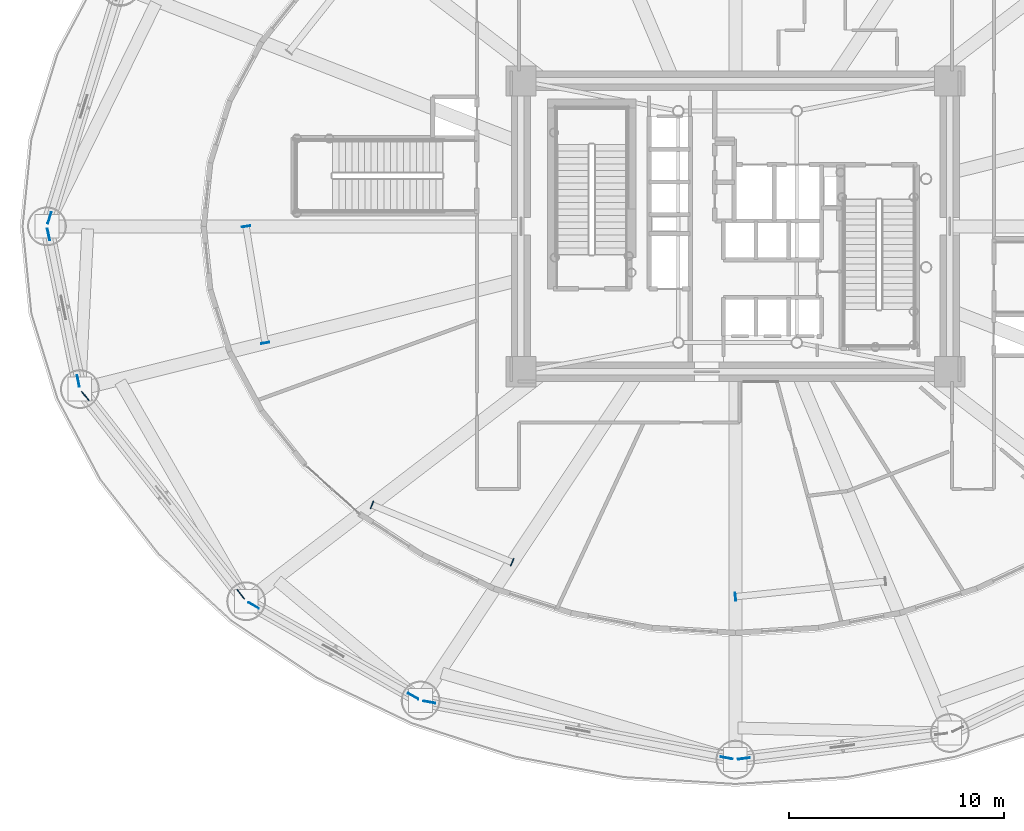
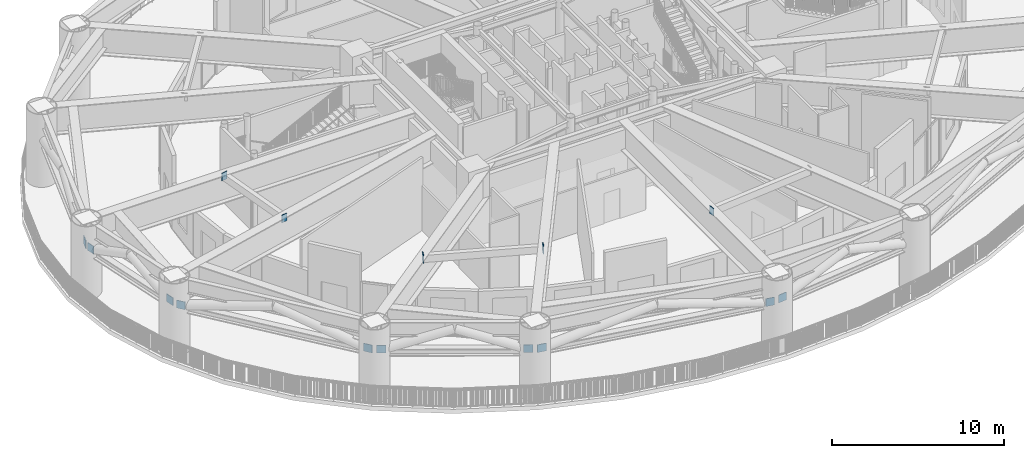
# One storey, part 18 of 39: 15 plates.
"""IFC4 building model written with IfcOpenShell, lengths in metres."""

from ifc_helpers import new_model, si_unit, direction, frame, origin, origin_2d, place, context, subcontext, project, spatial, rectangle, extrude, source, transform, mapped, material, layer, layer_set, type_object, element, save


model = new_model("IFC4")

# Units and contexts
model_context = context("Model", 3, precision=1e-05, world=origin(), true_north=direction((0.0, 1.0)))
body_context = subcontext(model_context, "Body", "Model", "MODEL_VIEW")
ifc_project = project(units=[si_unit("LENGTHUNIT", "METRE"), si_unit("AREAUNIT", "SQUARE_METRE"), si_unit("VOLUMEUNIT", "CUBIC_METRE"), si_unit("PLANEANGLEUNIT", "RADIAN"), si_unit("MASSUNIT", "GRAM", prefix="KILO")], contexts=[model_context])

# Site, building, storey
site_placement = place(None, origin())
site = spatial("IfcSite", under=ifc_project, at=site_placement, CompositionType="ELEMENT")
building_placement = place(site_placement, origin())
building = spatial("IfcBuilding", under=site, at=building_placement, Name="Linh Dai School and Residence Tower", CompositionType="ELEMENT")
storey_placement = place(building_placement, frame((0.0, 0.0, 27.0)))
storey = spatial("IfcBuildingStorey", under=building, at=storey_placement, Name="L06", CompositionType="ELEMENT", Elevation=27.0)

# Plates
ifc_material = material(Name="Structural Steel S355JR", Category="steel")
ifc_layer = layer(ifc_material, 0.0400390625)
ifc_layer_set = layer_set([ifc_layer], Name="Structural Steel S355JR")
plate_type = type_object("IfcPlateType", Name="PLT-GP1", PredefinedType="USERDEFINED", material=ifc_layer_set)
shared_shape_1 = source(origin(), body_context, "Body", "SweptSolid", [
    extrude(rectangle(XDim=0.0400390625, YDim=0.3798828125, at=origin_2d()), origin(), (0.0, 0.0, 1.0), 0.5400390625),
])
for number, where, z_axis, x_axis, name in (
    (1, (13.290771484375, 26.9951171875, 4.6298828125), (0.0, 0.0, 1.0), (0.161521734074, -0.986869155168, 0.0), "L06 Secondary Beam End Plate 05A"),
    (2, (14.17626953125, 21.5849609375, 4.6298828125), (0.0, 0.0, 1.0), (0.161521734074, -0.986869155168, 0.0), "L06 Secondary Beam End Plate 05B"),
    (3, (19.13623046875, 14.07080078125, 4.6298828125), (0.0, 0.0, 1.0), (0.925232467292, -0.379400687228, 0.0), "L06 Secondary Beam End Plate 06A"),
    (4, (25.639892578125, 11.40380859375, 4.6298828125), (0.0, 0.0, 1.0), (0.925232467292, -0.379400687228, 0.0), "L06 Secondary Beam End Plate 06B"),
    (5, (36.0048828125, 9.810546875, 4.6298828125), (0.0, 0.0, 1.0), (0.994771705806, 0.102123715795, 0.0), "L06 Secondary Beam End Plate 07A"),
):
    element("IfcPlate", number, at=place(storey_placement, frame(where, z_axis=z_axis, x_axis=x_axis)), inside=storey, type_object=plate_type, Name=name, ObjectType="GUSSET PLATE", PredefinedType="USERDEFINED", context=body_context, shape_type="MappedRepresentation", body=[
        mapped(shared_shape_1, transform((0.0, 0.0, 0.0), x_axis=(1.0, 0.0, 0.0), y_axis=(0.0, 1.0, 0.0), z_axis=(0.0, 0.0, 1.0), scale=1.0)),
    ])
shared_shape_2 = source(origin(), body_context, "Body", "SweptSolid", [
    extrude(rectangle(XDim=0.550048828125, YDim=0.0400390625, at=origin_2d()), origin(), (0.0, 0.0, 1.0), 0.550048828125),
])
for number, where, z_axis, x_axis, name in (
    (6, (4.1689453125, 27.38720703125, 2.88623046875), (0.0, 0.0, 1.0), (-0.293627886797, -0.955919800033, 0.0), "L06 Belt Truss BT1 Root End Gusset 08B"),
    (7, (4.126953125, 26.619873046875, 2.93603515625), (0.0, 0.0, 1.0), (0.198412111619, -0.980118683611, 0.0), "L06 Belt Truss BT1 Root End Gusset 09A"),
    (8, (5.50244140625, 19.82470703125, 2.93603515625), (0.0, 0.0, 1.0), (0.198412111619, -0.980118683611, 0.0), "L06 Belt Truss BT1 Root End Gusset 09B"),
    (9, (5.83056640625, 19.124267578125, 2.87890625), (0.0, 0.0, 1.0), (0.616818943484, -0.787105069834, 0.0), "L06 Belt Truss BT1 Root End Gusset 10A"),
    (10, (13.043701171875, 9.919677734375, 2.87890625), (0.0, 0.0, 1.0), (0.616818943484, -0.787105069834, 0.0), "L06 Belt Truss BT1 Root End Gusset 10B"),
    (11, (13.64013671875, 9.403076171875, 2.91162109375), (0.0, 0.0, 1.0), (0.869247655355, -0.494376894343, 0.0), "L06 Belt Truss BT1 Root End Gusset 11A"),
    (12, (21.04541015625, 5.191162109375, 2.91162109375), (0.0, 0.0, 1.0), (0.869247655355, -0.494376894343, 0.0), "L06 Belt Truss BT1 Root End Gusset 11B"),
    (13, (21.79443359375, 4.9189453125, 2.86328125), (0.0, 0.0, 1.0), (0.982804039989, -0.184651615161, 0.0), "L06 Belt Truss BT1 Root End Gusset 12A"),
    (14, (35.596435546875, 2.325927734375, 2.86328125), (0.0, 0.0, 1.0), (0.982804039989, -0.184651615161, 0.0), "L06 Belt Truss BT1 Root End Gusset 12B"),
    (15, (36.39697265625, 2.29931640625, 2.90283203125), (0.0, 0.0, 1.0), (0.992399666572, 0.123056498355, 0.0), "L06 Belt Truss BT1 Root End Gusset 13A"),
):
    element("IfcPlate", number, at=place(storey_placement, frame(where, z_axis=z_axis, x_axis=x_axis)), inside=storey, type_object=plate_type, Name=name, ObjectType="GUSSET PLATE", PredefinedType="USERDEFINED", context=body_context, shape_type="MappedRepresentation", body=[
        mapped(shared_shape_2, transform((0.0, 0.0, 0.0), x_axis=(1.0, 0.0, 0.0), y_axis=(0.0, 1.0, 0.0), z_axis=(0.0, 0.0, 1.0), scale=1.0)),
    ])

save(model, "model.ifc")
